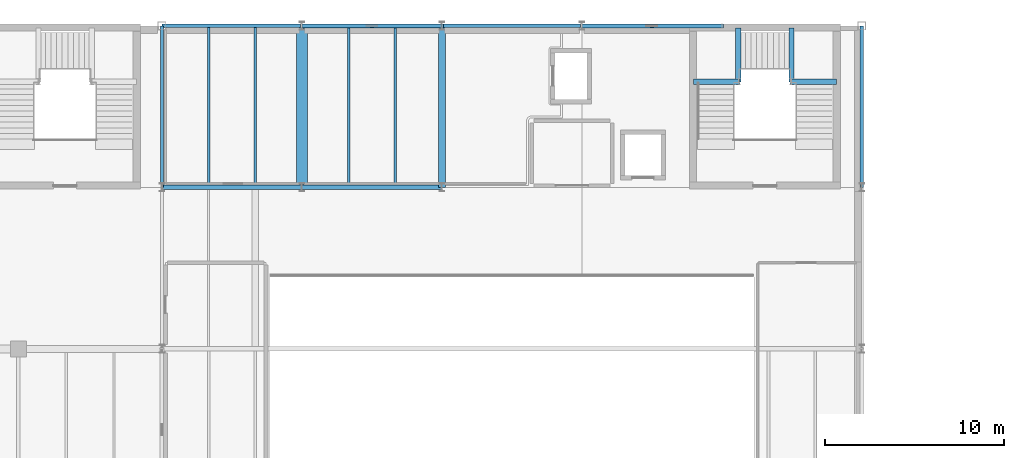
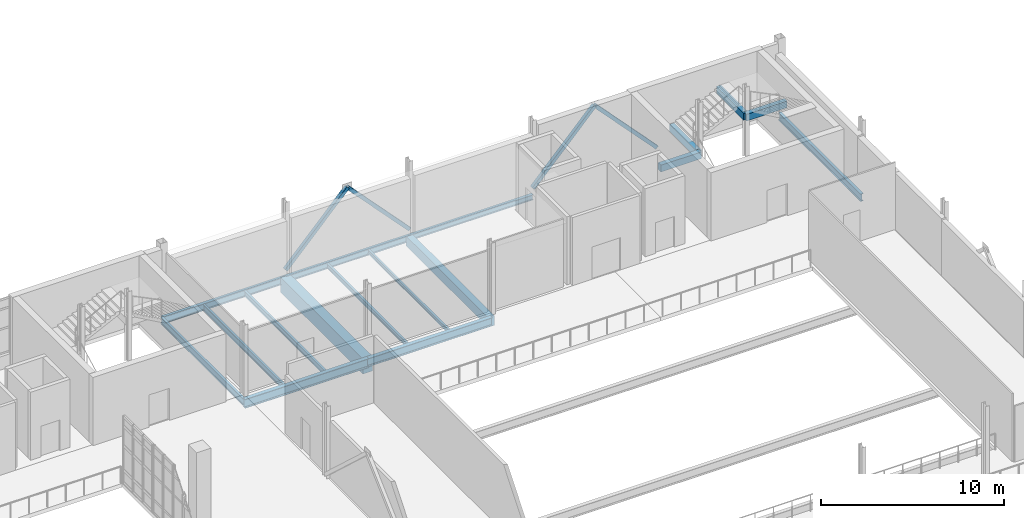
# One storey, part 51 of 102: 17 beams, 4 members.
"""IFC4 building model written with IfcOpenShell, lengths in metres."""

from ifc_helpers import new_model, si_unit, derived_unit, direction, frame, origin, origin_2d, place, context, subcontext, project, spatial, rectangle, hollow_rectangle, i_section, extrude, material, material_profile, profile_set, type_object, element, save


model = new_model("IFC4")

# Units and contexts
model_context = context("Model", 3, precision=1e-05, world=origin(), true_north=direction((0.0, 1.0)))
body_context = subcontext(model_context, "Body", "Model", "MODEL_VIEW")
ifc_project = project(units=[si_unit("LENGTHUNIT", "METRE"), si_unit("AREAUNIT", "SQUARE_METRE"), si_unit("VOLUMEUNIT", "CUBIC_METRE"), si_unit("PLANEANGLEUNIT", "RADIAN"), si_unit("MASSUNIT", "GRAM", prefix="KILO"), derived_unit("THERMALTRANSMITTANCEUNIT", [(si_unit("POWERUNIT", "WATT"), 1), (si_unit("LENGTHUNIT", "METRE"), -2), (si_unit("THERMODYNAMICTEMPERATUREUNIT", "KELVIN"), -1)])], contexts=[model_context])

# Site, building, storey
site_placement = place(None, origin())
site = spatial("IfcSite", under=ifc_project, at=site_placement, CompositionType="ELEMENT")
building_placement = place(site_placement, origin())
building = spatial("IfcBuilding", under=site, at=building_placement, Name="Nallur Shell Playhouse", CompositionType="ELEMENT")
storey_placement = place(building_placement, frame((0.0, 0.0, 15.0)))
storey = spatial("IfcBuildingStorey", under=building, at=storey_placement, Name="L04", CompositionType="ELEMENT", Elevation=15.0)

# Beams
ifc_material_1 = material(Name="Steel E250", Category="steel")
ifc_material_profile_1 = material_profile(ifc_material_1, i_section(OverallWidth=0.125, OverallDepth=0.25, WebThickness=0.0068359375, FlangeThickness=0.012451171875, FilletRadius=0.012939453125, at=origin_2d()), Name="ISMB 250")
ifc_profile_set_1 = profile_set([ifc_material_profile_1], Name="Steel E250")
beam_type_1 = type_object("IfcBeamType", Name="BM-JST-ISMB250", PredefinedType="JOIST", material=ifc_profile_set_1)
beam_1_placement = place(storey_placement, frame((77.0, 74.123046875, -0.385009765625), z_axis=(0.0, 1.0, 0.0), x_axis=(-1.0, 0.0, 0.0)))
element("IfcBeam", 1, at=beam_1_placement, inside=storey, type_object=beam_type_1, Name="L04 secondary joist 9-J-922", PredefinedType="JOIST", context=body_context, shape_type="SweptSolid", body=[
    extrude(i_section(OverallWidth=0.125, OverallDepth=0.25, WebThickness=0.0068359375, FlangeThickness=0.012451171875, FilletRadius=0.012939453125, at=origin_2d()), origin(), (0.0, 0.0, 1.0), 8.779052734375),
])
ifc_material_profile_2 = material_profile(ifc_material_1, i_section(OverallWidth=0.139892578125, OverallDepth=0.300048828125, WebThickness=0.0078125, FlangeThickness=0.01318359375, FilletRadius=0.013916015625, at=origin_2d()), Name="ISMB 300")
ifc_profile_set_2 = profile_set([ifc_material_profile_2], Name="Steel E250")
beam_type_2 = type_object("IfcBeamType", Name="BM-JST-ISMB300", PredefinedType="JOIST", material=ifc_profile_set_2)
beam_2_placement = place(storey_placement, frame((74.39990234375, 74.123046875, -0.409912109375), z_axis=(0.0, 1.0, 0.0), x_axis=(-1.0, 0.0, 0.0)))
element("IfcBeam", 2, at=beam_2_placement, inside=storey, type_object=beam_type_2, Name="L04 secondary joist 9-J-921", PredefinedType="JOIST", context=body_context, shape_type="SweptSolid", body=[
    extrude(i_section(OverallWidth=0.139892578125, OverallDepth=0.300048828125, WebThickness=0.0078125, FlangeThickness=0.01318359375, FilletRadius=0.013916015625, at=origin_2d()), origin(), (0.0, 0.0, 1.0), 8.779052734375),
])
ifc_material_profile_3 = material_profile(ifc_material_1, i_section(OverallWidth=0.139892578125, OverallDepth=0.35009765625, WebThickness=0.008056640625, FlangeThickness=0.01416015625, FilletRadius=0.013916015625, at=origin_2d()), Name="ISMB 350")
ifc_profile_set_3 = profile_set([ifc_material_profile_3], Name="Steel E250")
beam_type_3 = type_object("IfcBeamType", Name="BM-JST-ISMB350", PredefinedType="JOIST", material=ifc_profile_set_3)
beam_3_placement = place(storey_placement, frame((69.199951171875, 74.123046875, -0.43505859375), z_axis=(0.0, 1.0, 0.0), x_axis=(-1.0, 0.0, 0.0)))
element("IfcBeam", 3, at=beam_3_placement, inside=storey, type_object=beam_type_3, Name="L04 secondary joist 8-J-920", PredefinedType="JOIST", context=body_context, shape_type="SweptSolid", body=[
    extrude(i_section(OverallWidth=0.139892578125, OverallDepth=0.35009765625, WebThickness=0.008056640625, FlangeThickness=0.01416015625, FilletRadius=0.013916015625, at=origin_2d()), origin(), (0.0, 0.0, 1.0), 8.779052734375),
])
ifc_material_profile_4 = material_profile(ifc_material_1, i_section(OverallWidth=0.139892578125, OverallDepth=0.39990234375, WebThickness=0.0087890625, FlangeThickness=0.01611328125, FilletRadius=0.013916015625, at=origin_2d()), Name="ISMB 400")
ifc_profile_set_4 = profile_set([ifc_material_profile_4], Name="Steel E250")
beam_type_4 = type_object("IfcBeamType", Name="BM-JST-ISMB400", PredefinedType="JOIST", material=ifc_profile_set_4)
beam_4_placement = place(storey_placement, frame((66.60009765625, 74.123046875, -0.4599609375), z_axis=(0.0, 1.0, 0.0), x_axis=(-1.0, 0.0, 0.0)))
element("IfcBeam", 4, at=beam_4_placement, inside=storey, type_object=beam_type_4, Name="L04 secondary joist 8-J-919", PredefinedType="JOIST", context=body_context, shape_type="SweptSolid", body=[
    extrude(i_section(OverallWidth=0.139892578125, OverallDepth=0.39990234375, WebThickness=0.0087890625, FlangeThickness=0.01611328125, FilletRadius=0.013916015625, at=origin_2d()), origin(), (0.0, 0.0, 1.0), 8.779052734375),
])
ifc_material_2 = material(Name="Concrete M35", Category="concrete")
ifc_material_profile_5 = material_profile(ifc_material_2, rectangle(XDim=0.39990234375, YDim=0.64990234375, at=origin_2d()), Name="RC 400x650")
ifc_profile_set_5 = profile_set([ifc_material_profile_5], Name="Concrete M35")
beam_type_5 = type_object("IfcBeamType", Name="BM-RC-400x650", PredefinedType="BEAM", material=ifc_profile_set_5)
beam_5_placement = place(storey_placement, frame((79.60009765625, 74.0, -0.5849609375), z_axis=(0.0, 1.0, 0.0), x_axis=(-1.0, 0.0, 0.0)))
element("IfcBeam", 5, at=beam_5_placement, inside=storey, type_object=beam_type_5, Name="L04 girder Y-10-847", PredefinedType="BEAM", context=body_context, shape_type="SweptSolid", body=[
    extrude(rectangle(XDim=0.39990234375, YDim=0.64990234375, at=origin_2d()), origin(), (0.0, 0.0, 1.0), 9.0),
])
ifc_material_3 = material(Name="Concrete M40", Category="concrete")
ifc_material_profile_6 = material_profile(ifc_material_3, rectangle(XDim=0.60009765625, YDim=1.0, at=origin_2d()), Name="RC 600x1000")
ifc_profile_set_6 = profile_set([ifc_material_profile_6], Name="Concrete M40")
beam_type_6 = type_object("IfcBeamType", Name="BM-RC-600x1000", PredefinedType="BEAM", material=ifc_profile_set_6)
beam_6_placement = place(storey_placement, frame((71.800048828125, 74.0, -0.760009765625), z_axis=(0.0, 1.0, 0.0), x_axis=(-1.0, 0.0, 0.0)))
element("IfcBeam", 6, at=beam_6_placement, inside=storey, type_object=beam_type_6, Name="L04 girder Y-9-844", PredefinedType="BEAM", context=body_context, shape_type="SweptSolid", body=[
    extrude(rectangle(XDim=0.60009765625, YDim=1.0, at=origin_2d()), origin(), (0.0, 0.0, 1.0), 9.0),
])
ifc_material_profile_7 = material_profile(ifc_material_2, rectangle(XDim=0.300048828125, YDim=0.449951171875, at=origin_2d()), Name="RC 300x450")
ifc_profile_set_7 = profile_set([ifc_material_profile_7], Name="Concrete M35")
beam_type_7 = type_object("IfcBeamType", Name="BM-SPN-300x450", PredefinedType="SPANDREL", material=ifc_profile_set_7)
beam_7_placement = place(storey_placement, frame((93.6201171875, 79.8798828125, 1.22509765625), z_axis=(1.0, 0.0, 0.0), x_axis=(0.0, 1.0, 0.0)))
element("IfcBeam", 7, at=beam_7_placement, inside=storey, type_object=beam_type_7, Name="Stair ST-04-L04 L1 south bearer beam", PredefinedType="SPANDREL", context=body_context, shape_type="SweptSolid", body=[
    extrude(rectangle(XDim=0.300048828125, YDim=0.449951171875, at=origin_2d()), origin(), (0.0, 0.0, 1.0), 2.559814453125),
])
beam_8_placement = place(storey_placement, frame((96.1201171875, 79.8798828125, 1.22509765625), z_axis=(0.0, 1.0, 0.0), x_axis=(-1.0, 0.0, 0.0)))
element("IfcBeam", 8, at=beam_8_placement, inside=storey, type_object=beam_type_7, Name="Stair ST-04-L04 L1 east bearer beam", PredefinedType="SPANDREL", context=body_context, shape_type="SweptSolid", body=[
    extrude(rectangle(XDim=0.300048828125, YDim=0.449951171875, at=origin_2d()), origin(), (0.0, 0.0, 1.0), 3.0),
])
beam_9_placement = place(storey_placement, frame((99.02001953125, 79.8798828125, 2.72509765625), z_axis=(1.0, 0.0, 0.0), x_axis=(0.0, 1.0, 0.0)))
element("IfcBeam", 9, at=beam_9_placement, inside=storey, type_object=beam_type_7, Name="Stair ST-04-L04 L2 south bearer beam", PredefinedType="SPANDREL", context=body_context, shape_type="SweptSolid", body=[
    extrude(rectangle(XDim=0.300048828125, YDim=0.449951171875, at=origin_2d()), origin(), (0.0, 0.0, 1.0), 2.56005859375),
])
beam_10_placement = place(storey_placement, frame((99.080078125, 79.8798828125, 2.72509765625), z_axis=(0.0, 1.0, 0.0), x_axis=(-1.0, 0.0, 0.0)))
element("IfcBeam", 10, at=beam_10_placement, inside=storey, type_object=beam_type_7, Name="Stair ST-04-L04 L2 west bearer beam", PredefinedType="SPANDREL", context=body_context, shape_type="SweptSolid", body=[
    extrude(rectangle(XDim=0.300048828125, YDim=0.449951171875, at=origin_2d()), origin(), (0.0, 0.0, 1.0), 3.0),
])
ifc_material_4 = material(Name="Steel E350", Category="steel")
ifc_material_profile_8 = material_profile(ifc_material_4, i_section(OverallWidth=0.14990234375, OverallDepth=0.449951171875, WebThickness=0.009521484375, FlangeThickness=0.017333984375, FilletRadius=0.014892578125, at=origin_2d()), Name="ISMB 450")
ifc_profile_set_8 = profile_set([ifc_material_profile_8], Name="Steel E350")
beam_type_8 = type_object("IfcBeamType", Name="BM-ST-ISMB450", PredefinedType="BEAM", material=ifc_profile_set_8)
beam_11_placement = place(storey_placement, frame((64.0, 74.0, -0.485107421875), z_axis=(0.0, 1.0, 0.0), x_axis=(-1.0, 0.0, 0.0)))
element("IfcBeam", 11, at=beam_11_placement, inside=storey, type_object=beam_type_8, Name="L04 girder Y-8-843", PredefinedType="BEAM", context=body_context, shape_type="SweptSolid", body=[
    extrude(i_section(OverallWidth=0.14990234375, OverallDepth=0.449951171875, WebThickness=0.009521484375, FlangeThickness=0.017333984375, FilletRadius=0.014892578125, at=origin_2d()), origin(), (0.0, 0.0, 1.0), 9.0),
])
ifc_material_profile_9 = material_profile(ifc_material_4, i_section(OverallWidth=0.179931640625, OverallDepth=0.5, WebThickness=0.01025390625, FlangeThickness=0.01708984375, FilletRadius=0.01708984375, at=origin_2d()), Name="ISMB 500")
ifc_profile_set_9 = profile_set([ifc_material_profile_9], Name="Steel E350")
beam_type_9 = type_object("IfcBeamType", Name="BM-ST-ISMB500", PredefinedType="BEAM", material=ifc_profile_set_9)
beam_12_placement = place(storey_placement, frame((103.0, 74.0, -0.510009765625), z_axis=(0.0, 1.0, 0.0), x_axis=(-1.0, 0.0, 0.0)))
element("IfcBeam", 12, at=beam_12_placement, inside=storey, type_object=beam_type_9, Name="L04 girder Y-13-858", PredefinedType="BEAM", context=body_context, shape_type="SweptSolid", body=[
    extrude(i_section(OverallWidth=0.179931640625, OverallDepth=0.5, WebThickness=0.01025390625, FlangeThickness=0.01708984375, FilletRadius=0.01708984375, at=origin_2d()), origin(), (0.0, 0.0, 1.0), 9.0),
])
ifc_material_profile_10 = material_profile(ifc_material_4, i_section(OverallWidth=0.199951171875, OverallDepth=0.35009765625, WebThickness=0.008056640625, FlangeThickness=0.011474609375, FilletRadius=0.011962890625, at=origin_2d()), Name="ISWB 350")
ifc_profile_set_10 = profile_set([ifc_material_profile_10], Name="Steel E350")
beam_type_10 = type_object("IfcBeamType", Name="BM-ST-ISWB350", PredefinedType="BEAM", material=ifc_profile_set_10)
beam_13_placement = place(storey_placement, frame((79.60009765625, 83.0, -0.43505859375), z_axis=(1.0, 0.0, 0.0), x_axis=(0.0, 1.0, 0.0)))
element("IfcBeam", 13, at=beam_13_placement, inside=storey, type_object=beam_type_10, Name="L04 girder X-K-806", PredefinedType="BEAM", context=body_context, shape_type="SweptSolid", body=[
    extrude(i_section(OverallWidth=0.199951171875, OverallDepth=0.35009765625, WebThickness=0.008056640625, FlangeThickness=0.011474609375, FilletRadius=0.011962890625, at=origin_2d()), origin(), (0.0, 0.0, 1.0), 7.7998046875),
])
ifc_material_profile_11 = material_profile(ifc_material_4, i_section(OverallWidth=0.199951171875, OverallDepth=0.39990234375, WebThickness=0.008544921875, FlangeThickness=0.012939453125, FilletRadius=0.012939453125, at=origin_2d()), Name="ISWB 400")
ifc_profile_set_11 = profile_set([ifc_material_profile_11], Name="Steel E350")
beam_type_11 = type_object("IfcBeamType", Name="BM-ST-ISWB400", PredefinedType="BEAM", material=ifc_profile_set_11)
beam_14_placement = place(storey_placement, frame((71.800048828125, 83.0, -0.4599609375), z_axis=(1.0, 0.0, 0.0), x_axis=(0.0, 1.0, 0.0)))
element("IfcBeam", 14, at=beam_14_placement, inside=storey, type_object=beam_type_11, Name="L04 girder X-K-805", PredefinedType="BEAM", context=body_context, shape_type="SweptSolid", body=[
    extrude(i_section(OverallWidth=0.199951171875, OverallDepth=0.39990234375, WebThickness=0.008544921875, FlangeThickness=0.012939453125, FilletRadius=0.012939453125, at=origin_2d()), origin(), (0.0, 0.0, 1.0), 7.800048828125),
])
ifc_material_profile_12 = material_profile(ifc_material_4, i_section(OverallWidth=0.199951171875, OverallDepth=0.449951171875, WebThickness=0.00927734375, FlangeThickness=0.015380859375, FilletRadius=0.013916015625, at=origin_2d()), Name="ISWB 450")
ifc_profile_set_12 = profile_set([ifc_material_profile_12], Name="Steel E350")
beam_type_12 = type_object("IfcBeamType", Name="BM-ST-ISWB450", PredefinedType="BEAM", material=ifc_profile_set_12)
beam_15_placement = place(storey_placement, frame((64.0, 83.0, -0.485107421875), z_axis=(1.0, 0.0, 0.0), x_axis=(0.0, 1.0, 0.0)))
element("IfcBeam", 15, at=beam_15_placement, inside=storey, type_object=beam_type_12, Name="L04 girder X-K-804", PredefinedType="BEAM", context=body_context, shape_type="SweptSolid", body=[
    extrude(i_section(OverallWidth=0.199951171875, OverallDepth=0.449951171875, WebThickness=0.00927734375, FlangeThickness=0.015380859375, FilletRadius=0.013916015625, at=origin_2d()), origin(), (0.0, 0.0, 1.0), 7.800048828125),
])
ifc_material_profile_13 = material_profile(ifc_material_4, i_section(OverallWidth=0.25, OverallDepth=0.550048828125, WebThickness=0.010498046875, FlangeThickness=0.017578125, FilletRadius=0.01611328125, at=origin_2d()), Name="ISWB 550")
ifc_profile_set_13 = profile_set([ifc_material_profile_13], Name="Steel E350")
beam_type_13 = type_object("IfcBeamType", Name="BM-ST-ISWB550", PredefinedType="BEAM", material=ifc_profile_set_13)
beam_16_placement = place(storey_placement, frame((71.800048828125, 74.0, -0.534912109375), z_axis=(1.0, 0.0, 0.0), x_axis=(0.0, 1.0, 0.0)))
element("IfcBeam", 16, at=beam_16_placement, inside=storey, type_object=beam_type_13, Name="L04 girder X-J-802", PredefinedType="BEAM", context=body_context, shape_type="SweptSolid", body=[
    extrude(i_section(OverallWidth=0.25, OverallDepth=0.550048828125, WebThickness=0.010498046875, FlangeThickness=0.017578125, FilletRadius=0.01611328125, at=origin_2d()), origin(), (0.0, 0.0, 1.0), 7.800048828125),
])
ifc_material_profile_14 = material_profile(ifc_material_4, i_section(OverallWidth=0.25, OverallDepth=0.60009765625, WebThickness=0.01171875, FlangeThickness=0.023681640625, FilletRadius=0.01708984375, at=origin_2d()), Name="ISWB 600")
ifc_profile_set_14 = profile_set([ifc_material_profile_14], Name="Steel E350")
beam_type_14 = type_object("IfcBeamType", Name="BM-ST-ISWB600", PredefinedType="BEAM", material=ifc_profile_set_14)
beam_17_placement = place(storey_placement, frame((64.0, 74.0, -0.56005859375), z_axis=(1.0, 0.0, 0.0), x_axis=(0.0, 1.0, 0.0)))
element("IfcBeam", 17, at=beam_17_placement, inside=storey, type_object=beam_type_14, Name="L04 girder X-J-801", PredefinedType="BEAM", context=body_context, shape_type="SweptSolid", body=[
    extrude(i_section(OverallWidth=0.25, OverallDepth=0.60009765625, WebThickness=0.01171875, FlangeThickness=0.023681640625, FilletRadius=0.01708984375, at=origin_2d()), origin(), (0.0, 0.0, 1.0), 7.800048828125),
])

# Members
ifc_material_profile_15 = material_profile(ifc_material_4, hollow_rectangle(XDim=0.219970703125, YDim=0.219970703125, WallThickness=0.011962890625, at=origin_2d()), Name="SHS 220x220x12")
ifc_profile_set_15 = profile_set([ifc_material_profile_15], Name="Steel E350")
member_type = type_object("IfcMemberType", Name="MB-FT-BRACE2", PredefinedType="BRACE", material=ifc_profile_set_15)
for number, where, z_axis, x_axis, name in (
    (18, (71.800048828125, 83.0, 0.14990234375), (0.684794838363, 0.0, 0.72873591194), (0.0, 1.0, 0.0), "Stage fly tower concentric brace BR-FT-L04-029"),
    (19, (79.60009765625, 83.0, 0.14990234375), (-0.684817603382, 0.0, 0.728714518929), (0.0, -1.0, 0.0), "Stage fly tower concentric brace BR-FT-L04-030"),
    (20, (87.39990234375, 83.0, 0.14990234375), (0.684817603382, 0.0, 0.728714518929), (0.0, 1.0, 0.0), "Stage fly tower concentric brace BR-FT-L04-031"),
    (21, (95.199951171875, 83.0, 0.14990234375), (-0.684794838363, 0.0, 0.72873591194), (0.0, -1.0, 0.0), "Stage fly tower concentric brace BR-FT-L04-032"),
):
    element("IfcMember", number, at=place(storey_placement, frame(where, z_axis=z_axis, x_axis=x_axis)), inside=storey, type_object=member_type, Name=name, PredefinedType="BRACE", context=body_context, shape_type="SweptSolid", body=[
        extrude(hollow_rectangle(XDim=0.219970703125, YDim=0.219970703125, WallThickness=0.011962890625, at=origin_2d()), origin(), (0.0, 0.0, 1.0), 5.695068359375),
    ])

save(model, "model.ifc")
